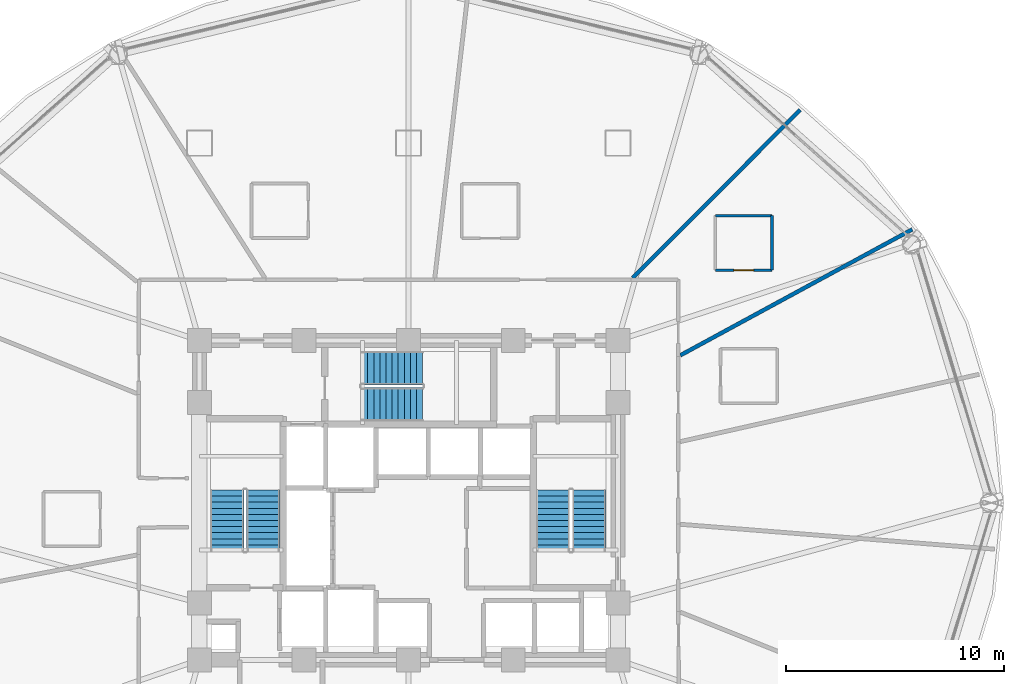
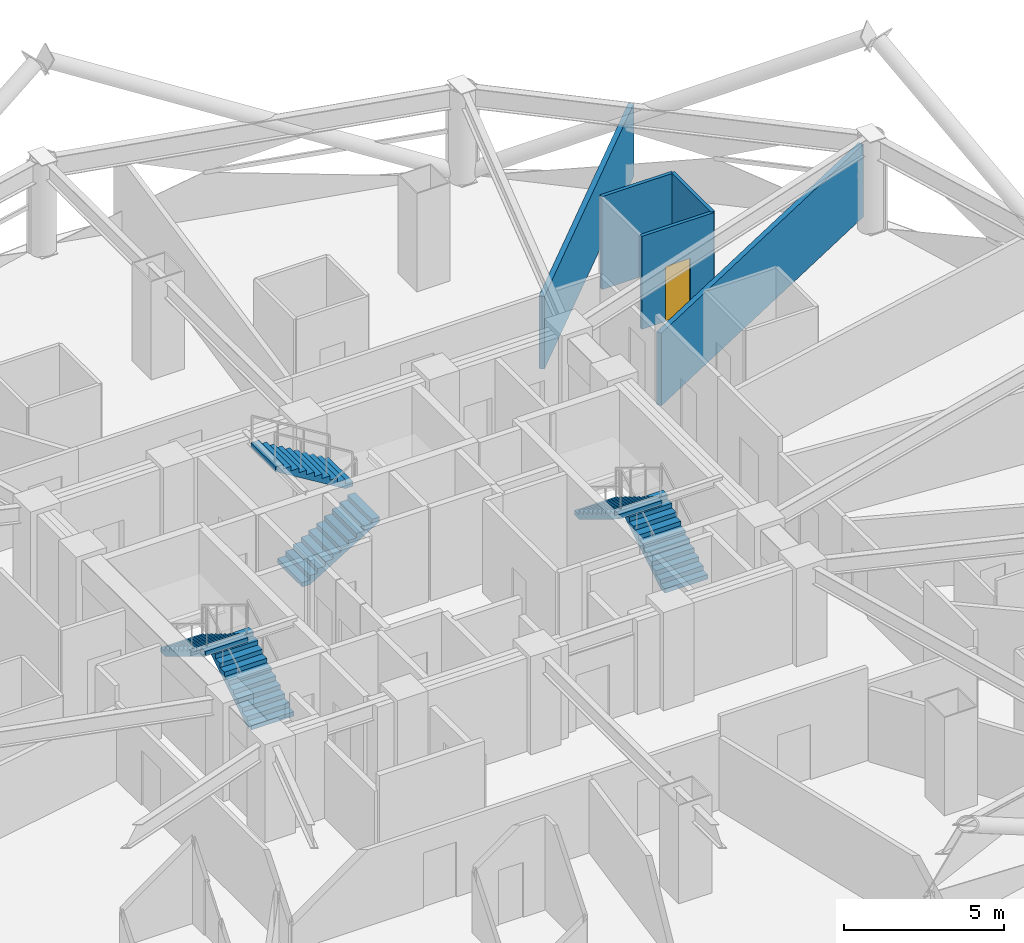
# One storey, part 27 of 31: 6 stair flights, 5 walls, 1 door, 1 opening, 3 elements without a shape of their own.
"""IFC4 building model written with IfcOpenShell, lengths in metres."""

from ifc_helpers import new_model, si_unit, direction, frame, frame_2d, origin, place, context, subcontext, project, spatial, polyline, rectangle, outline, extrude, material, layer, layer_set, type_object, element, fill, aggregate, save


model = new_model("IFC4")

# Units and contexts
model_context = context("Model", 3, precision=1e-05, world=origin(), true_north=direction((0.0, 1.0)))
body_context = subcontext(model_context, "Body", "Model", "MODEL_VIEW")
ifc_project = project(units=[si_unit("LENGTHUNIT", "METRE"), si_unit("AREAUNIT", "SQUARE_METRE"), si_unit("VOLUMEUNIT", "CUBIC_METRE"), si_unit("PLANEANGLEUNIT", "RADIAN"), si_unit("MASSUNIT", "GRAM", prefix="KILO")], contexts=[model_context])

# Site, building, storey
site_placement = place(None, origin())
site = spatial("IfcSite", under=ifc_project, at=site_placement, CompositionType="ELEMENT")
building_placement = place(site_placement, origin())
building = spatial("IfcBuilding", under=site, at=building_placement, Name="Vantalir Tower", CompositionType="ELEMENT")
storey_placement = place(building_placement, frame((0.0, 0.0, 42.0)))
storey = spatial("IfcBuildingStorey", under=building, at=storey_placement, Name="L09", CompositionType="ELEMENT", Elevation=42.0)

# Wall, opening, door
ifc_material_1 = material(Name="Moisture-resistant en-suite partition", Category="gypsum")
ifc_layer_1 = layer(ifc_material_1, 0.125)
ifc_layer_set_1 = layer_set([ifc_layer_1], Name="Moisture-resistant en-suite partition")
wall_type_1 = type_object("IfcWallType", Name="WL-BATH-125", PredefinedType="PARTITIONING", material=ifc_layer_set_1)
wall_1_placement = place(storey_placement, frame((45.572998046875, 35.675048828125, 0.0), z_axis=(0.0, 0.0, 1.0), x_axis=(1.0, 0.0, 0.0)))
wall_1 = element("IfcWall", 1, at=wall_1_placement, inside=storey, type_object=wall_type_1, Name="L09 En-suite 02 South Wall", PredefinedType="PARTITIONING", context=body_context, shape_type="SweptSolid", body=[
    extrude(rectangle(XDim=2.60009765625, YDim=0.125, at=frame_2d((1.300048828125, 0.0))), origin(), (0.0, 0.0, 1.0), 3.550048828125),
])
opening_placement = place(wall_1_placement, frame((0.85009765625, 0.0, 0.0)))
opening = element("IfcOpeningElement", 2, at=opening_placement, cuts=wall_1, Name="Opening D-WC", PredefinedType="OPENING", context=body_context, shape_type="SweptSolid", body=[
    extrude(rectangle(XDim=0.89990234375, YDim=2.10009765625, at=frame_2d((0.449951171875, 1.050048828125))), frame((0.0, 0.072509765625, 0.0), z_axis=(0.0, -1.0, 0.0), x_axis=(1.0, 0.0, 0.0)), (0.0, 0.0, 1.0), 0.14501953125),
])
ifc_material_2 = material(Name="Moisture-resistant hardwood door", Category="wood")
door_type = type_object("IfcDoorType", Name="DR-ENSUITE-900", OperationType="NOTDEFINED", PredefinedType="DOOR", material=ifc_material_2)
door_placement = place(opening_placement, origin())
door = element("IfcDoor", 3, at=door_placement, inside=storey, type_object=door_type, Name="L09 En-suite 02 Door", OperationType="SINGLE_SWING_RIGHT", OverallHeight=2.10009765625, OverallWidth=0.89990234375, PredefinedType="DOOR", context=body_context, shape_type="SweptSolid", body=[
    extrude(rectangle(XDim=0.89990234375, YDim=2.10009765625, at=frame_2d((0.449951171875, 1.050048828125))), frame((0.0, 0.02490234375, 0.0), z_axis=(0.0, -1.0, 0.0), x_axis=(1.0, 0.0, 0.0)), (0.0, 0.0, 1.0), 0.050048828125),
])
fill(opening, door)

# Walls
wall_2_placement = place(storey_placement, frame((45.572998046875, 38.175048828125, 0.0), z_axis=(0.0, 0.0, 1.0), x_axis=(1.0, 0.0, 0.0)))
element("IfcWall", 4, at=wall_2_placement, inside=storey, type_object=wall_type_1, Name="L09 En-suite 02 North Wall", PredefinedType="PARTITIONING", context=body_context, shape_type="SweptSolid", body=[
    extrude(rectangle(XDim=2.60009765625, YDim=0.125, at=frame_2d((1.300048828125, 0.0))), origin(), (0.0, 0.0, 1.0), 3.550048828125),
])
wall_3_placement = place(storey_placement, frame((48.173095703125, 35.675048828125, 0.0), z_axis=(0.0, 0.0, 1.0), x_axis=(0.0, 1.0, 0.0)))
element("IfcWall", 5, at=wall_3_placement, inside=storey, type_object=wall_type_1, Name="L09 En-suite 02 East Wall", PredefinedType="PARTITIONING", context=body_context, shape_type="SweptSolid", body=[
    extrude(rectangle(XDim=2.5, YDim=0.125, at=frame_2d((1.25, 0.0))), origin(), (0.0, 0.0, 1.0), 3.550048828125),
])
ifc_material_3 = material(Name="Twin-stud acoustic fire-rated gypsum partition", Category="gypsum")
ifc_layer_2 = layer(ifc_material_3, 0.179931640625)
ifc_layer_set_2 = layer_set([ifc_layer_2], Name="Twin-stud acoustic fire-rated gypsum partition")
wall_type_2 = type_object("IfcWallType", Name="WL-GUEST-180", PredefinedType="PARTITIONING", material=ifc_layer_set_2)
wall_4_placement = place(storey_placement, frame((43.965087890625, 31.76708984375, 0.0), z_axis=(0.0, 0.0, 1.0), x_axis=(0.878834340918, 0.477127028393, 0.0)))
element("IfcWall", 6, at=wall_4_placement, inside=storey, type_object=wall_type_2, Name="L09 Radial Suite Partition 02", PredefinedType="PARTITIONING", context=body_context, shape_type="SweptSolid", body=[
    extrude(rectangle(XDim=12.103515625, YDim=0.179931640625, at=frame_2d((6.0517578125, 0.0))), origin(), (0.0, 0.0, 1.0), 2.77490234375),
])
wall_5_placement = place(storey_placement, frame((41.779052734375, 35.31494140625, 0.0), z_axis=(0.0, 0.0, 1.0), x_axis=(0.705861156653, 0.708350215309, 0.0)))
element("IfcWall", 7, at=wall_5_placement, inside=storey, type_object=wall_type_2, Name="L09 Radial Suite Partition 03", PredefinedType="PARTITIONING", context=body_context, shape_type="SweptSolid", body=[
    extrude(rectangle(XDim=10.887451171875, YDim=0.179931640625, at=frame_2d((5.44384765625, 0.0))), origin(), (0.0, 0.0, 1.0), 2.77490234375),
])

# Stair, stair flights
ifc_material_4 = material(Name="Concrete C40/50", Category="concrete")
stair_type = type_object("IfcStairType", Name="STR-CORE-1450", PredefinedType="HALF_TURN_STAIR", material=ifc_material_4)
stair_1_placement = place(storey_placement, origin())
stair_1 = element("IfcStair", 8, at=stair_1_placement, inside=storey, type_object=stair_type, Name="L09 Core Exit Stair 1", PredefinedType="HALF_TURN_STAIR")
stair_flight_type = type_object("IfcStairFlightType", Name="FLT-CORE-1450", PredefinedType="STRAIGHT", material=ifc_material_4)
stair_flight_1_placement = place(storey_placement, frame((24.830078125, 22.7900390625, 0.0), z_axis=(0.0, 0.0, 1.0), x_axis=(0.0, 1.0, 0.0)))
stair_flight_1 = element("IfcStairFlight", 9, at=stair_flight_1_placement, type_object=stair_flight_type, Name="ST1 flight 1", NumberOfRisers=11, NumberOfTreads=10, PredefinedType="STRAIGHT", RiserHeight=0.170454545, TreadLength=0.28, context=body_context, shape_type="SweptSolid", body=[
    extrude(outline(polyline([(0.0, 0.0), (0.0, 0.17041015625), (0.280029296875, 0.17041015625), (0.280029296875, 0.3408203125), (0.56005859375, 0.3408203125), (0.56005859375, 0.511474609375), (0.840087890625, 0.511474609375), (0.840087890625, 0.681884765625), (1.1201171875, 0.681884765625), (1.1201171875, 0.852294921875), (1.39990234375, 0.852294921875), (1.39990234375, 1.022705078125), (1.679931640625, 1.022705078125), (1.679931640625, 1.193115234375), (1.9599609375, 1.193115234375), (1.9599609375, 1.363525390625), (2.239990234375, 1.363525390625), (2.239990234375, 1.5341796875), (2.52001953125, 1.5341796875), (2.52001953125, 1.70458984375), (2.800048828125, 1.70458984375), (2.800048828125, 1.875), (2.800048828125, 1.529052734375), (0.288330078125, 0.0), (0.0, 0.0)])), frame((0.0, 0.77001953125, 0.0), z_axis=(0.0, -1.0, 0.0), x_axis=(1.0, 0.0, 0.0)), (0.0, 0.0, 1.0), 1.5400390625),
])
stair_flight_2_placement = place(storey_placement, frame((23.169921875, 25.590087890625, 1.875), z_axis=(0.0, 0.0, 1.0), x_axis=(0.0, -1.0, 0.0)))
stair_flight_2 = element("IfcStairFlight", 10, at=stair_flight_2_placement, type_object=stair_flight_type, Name="ST1 flight 2", NumberOfRisers=11, NumberOfTreads=10, PredefinedType="STRAIGHT", RiserHeight=0.170454545, TreadLength=0.28, context=body_context, shape_type="SweptSolid", body=[
    extrude(outline(polyline([(0.0, 0.0), (0.0, 0.17041015625), (0.280029296875, 0.17041015625), (0.280029296875, 0.3408203125), (0.56005859375, 0.3408203125), (0.56005859375, 0.511474609375), (0.840087890625, 0.511474609375), (0.840087890625, 0.681884765625), (1.1201171875, 0.681884765625), (1.1201171875, 0.852294921875), (1.39990234375, 0.852294921875), (1.39990234375, 1.022705078125), (1.679931640625, 1.022705078125), (1.679931640625, 1.193115234375), (1.9599609375, 1.193115234375), (1.9599609375, 1.363525390625), (2.239990234375, 1.363525390625), (2.239990234375, 1.5341796875), (2.52001953125, 1.5341796875), (2.52001953125, 1.70458984375), (2.800048828125, 1.70458984375), (2.800048828125, 1.875), (2.800048828125, 1.529052734375), (0.288330078125, 0.0), (0.0, 0.0)])), frame((0.0, 0.77001953125, 0.0), z_axis=(0.0, -1.0, 0.0), x_axis=(1.0, 0.0, 0.0)), (0.0, 0.0, 1.0), 1.5400390625),
])
aggregate(stair_1, [stair_flight_1, stair_flight_2])

stair_2_placement = place(storey_placement, origin())
stair_2 = element("IfcStair", 11, at=stair_2_placement, inside=storey, type_object=stair_type, Name="L09 Core Exit Stair 2", PredefinedType="HALF_TURN_STAIR")
stair_flight_3_placement = place(storey_placement, frame((39.780029296875, 22.7900390625, 0.0), z_axis=(0.0, 0.0, 1.0), x_axis=(0.0, 1.0, 0.0)))
stair_flight_3 = element("IfcStairFlight", 12, at=stair_flight_3_placement, type_object=stair_flight_type, Name="ST2 flight 1", NumberOfRisers=11, NumberOfTreads=10, PredefinedType="STRAIGHT", RiserHeight=0.170454545, TreadLength=0.28, context=body_context, shape_type="SweptSolid", body=[
    extrude(outline(polyline([(0.0, 0.0), (0.0, 0.17041015625), (0.280029296875, 0.17041015625), (0.280029296875, 0.3408203125), (0.56005859375, 0.3408203125), (0.56005859375, 0.511474609375), (0.840087890625, 0.511474609375), (0.840087890625, 0.681884765625), (1.1201171875, 0.681884765625), (1.1201171875, 0.852294921875), (1.39990234375, 0.852294921875), (1.39990234375, 1.022705078125), (1.679931640625, 1.022705078125), (1.679931640625, 1.193115234375), (1.9599609375, 1.193115234375), (1.9599609375, 1.363525390625), (2.239990234375, 1.363525390625), (2.239990234375, 1.5341796875), (2.52001953125, 1.5341796875), (2.52001953125, 1.70458984375), (2.800048828125, 1.70458984375), (2.800048828125, 1.875), (2.800048828125, 1.529052734375), (0.288330078125, 0.0), (0.0, 0.0)])), frame((0.0, 0.77001953125, 0.0), z_axis=(0.0, -1.0, 0.0), x_axis=(1.0, 0.0, 0.0)), (0.0, 0.0, 1.0), 1.5400390625),
])
stair_flight_4_placement = place(storey_placement, frame((38.1201171875, 25.590087890625, 1.875), z_axis=(0.0, 0.0, 1.0), x_axis=(0.0, -1.0, 0.0)))
stair_flight_4 = element("IfcStairFlight", 13, at=stair_flight_4_placement, type_object=stair_flight_type, Name="ST2 flight 2", NumberOfRisers=11, NumberOfTreads=10, PredefinedType="STRAIGHT", RiserHeight=0.170454545, TreadLength=0.28, context=body_context, shape_type="SweptSolid", body=[
    extrude(outline(polyline([(0.0, 0.0), (0.0, 0.17041015625), (0.280029296875, 0.17041015625), (0.280029296875, 0.3408203125), (0.56005859375, 0.3408203125), (0.56005859375, 0.511474609375), (0.840087890625, 0.511474609375), (0.840087890625, 0.681884765625), (1.1201171875, 0.681884765625), (1.1201171875, 0.852294921875), (1.39990234375, 0.852294921875), (1.39990234375, 1.022705078125), (1.679931640625, 1.022705078125), (1.679931640625, 1.193115234375), (1.9599609375, 1.193115234375), (1.9599609375, 1.363525390625), (2.239990234375, 1.363525390625), (2.239990234375, 1.5341796875), (2.52001953125, 1.5341796875), (2.52001953125, 1.70458984375), (2.800048828125, 1.70458984375), (2.800048828125, 1.875), (2.800048828125, 1.529052734375), (0.288330078125, 0.0), (0.0, 0.0)])), frame((0.0, 0.77001953125, 0.0), z_axis=(0.0, -1.0, 0.0), x_axis=(1.0, 0.0, 0.0)), (0.0, 0.0, 1.0), 1.5400390625),
])
aggregate(stair_2, [stair_flight_3, stair_flight_4])

stair_3_placement = place(storey_placement, origin())
stair_3 = element("IfcStair", 14, at=stair_3_placement, inside=storey, type_object=stair_type, Name="L09 Core Exit Stair 3", PredefinedType="HALF_TURN_STAIR")
stair_flight_5_placement = place(storey_placement, frame((29.340087890625, 29.52001953125, 0.0), z_axis=(0.0, 0.0, 1.0), x_axis=(1.0, 0.0, 0.0)))
stair_flight_5 = element("IfcStairFlight", 15, at=stair_flight_5_placement, type_object=stair_flight_type, Name="ST3 flight 1", NumberOfRisers=11, NumberOfTreads=10, PredefinedType="STRAIGHT", RiserHeight=0.170454545, TreadLength=0.28, context=body_context, shape_type="SweptSolid", body=[
    extrude(outline(polyline([(0.0, 0.0), (0.0, 0.17041015625), (0.280029296875, 0.17041015625), (0.280029296875, 0.3408203125), (0.56005859375, 0.3408203125), (0.56005859375, 0.511474609375), (0.840087890625, 0.511474609375), (0.840087890625, 0.681884765625), (1.1201171875, 0.681884765625), (1.1201171875, 0.852294921875), (1.39990234375, 0.852294921875), (1.39990234375, 1.022705078125), (1.679931640625, 1.022705078125), (1.679931640625, 1.193115234375), (1.9599609375, 1.193115234375), (1.9599609375, 1.363525390625), (2.239990234375, 1.363525390625), (2.239990234375, 1.5341796875), (2.52001953125, 1.5341796875), (2.52001953125, 1.70458984375), (2.800048828125, 1.70458984375), (2.800048828125, 1.875), (2.800048828125, 1.529052734375), (0.288330078125, 0.0), (0.0, 0.0)])), frame((0.0, 0.77001953125, 0.0), z_axis=(0.0, -1.0, 0.0), x_axis=(1.0, 0.0, 0.0)), (0.0, 0.0, 1.0), 1.5400390625),
])
stair_flight_6_placement = place(storey_placement, frame((32.139892578125, 31.179931640625, 1.875), z_axis=(0.0, 0.0, 1.0), x_axis=(-1.0, 0.0, 0.0)))
stair_flight_6 = element("IfcStairFlight", 16, at=stair_flight_6_placement, type_object=stair_flight_type, Name="ST3 flight 2", NumberOfRisers=11, NumberOfTreads=10, PredefinedType="STRAIGHT", RiserHeight=0.170454545, TreadLength=0.28, context=body_context, shape_type="SweptSolid", body=[
    extrude(outline(polyline([(0.0, 0.0), (0.0, 0.17041015625), (0.280029296875, 0.17041015625), (0.280029296875, 0.3408203125), (0.56005859375, 0.3408203125), (0.56005859375, 0.511474609375), (0.840087890625, 0.511474609375), (0.840087890625, 0.681884765625), (1.1201171875, 0.681884765625), (1.1201171875, 0.852294921875), (1.39990234375, 0.852294921875), (1.39990234375, 1.022705078125), (1.679931640625, 1.022705078125), (1.679931640625, 1.193115234375), (1.9599609375, 1.193115234375), (1.9599609375, 1.363525390625), (2.239990234375, 1.363525390625), (2.239990234375, 1.5341796875), (2.52001953125, 1.5341796875), (2.52001953125, 1.70458984375), (2.800048828125, 1.70458984375), (2.800048828125, 1.875), (2.800048828125, 1.529052734375), (0.288330078125, 0.0), (0.0, 0.0)])), frame((0.0, 0.77001953125, 0.0), z_axis=(0.0, -1.0, 0.0), x_axis=(1.0, 0.0, 0.0)), (0.0, 0.0, 1.0), 1.5400390625),
])
aggregate(stair_3, [stair_flight_5, stair_flight_6])

save(model, "model.ifc")
